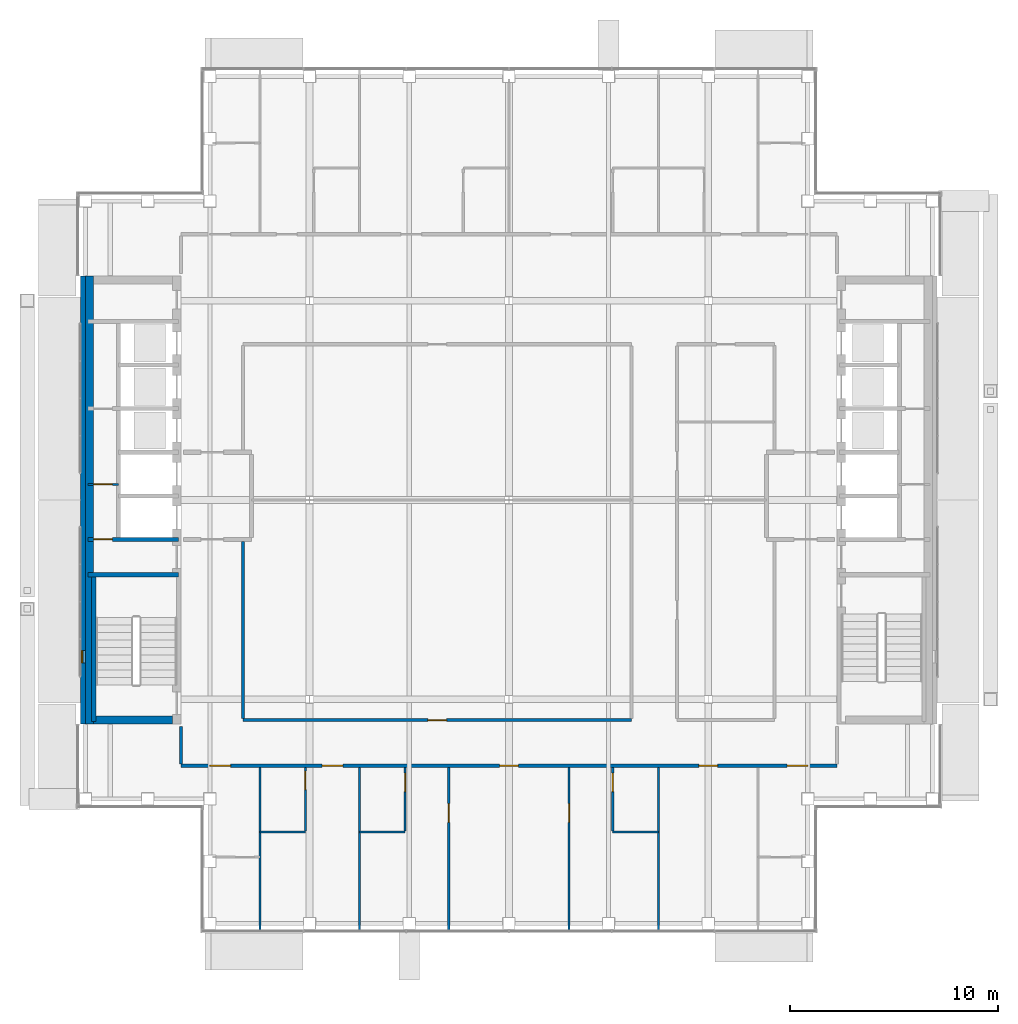
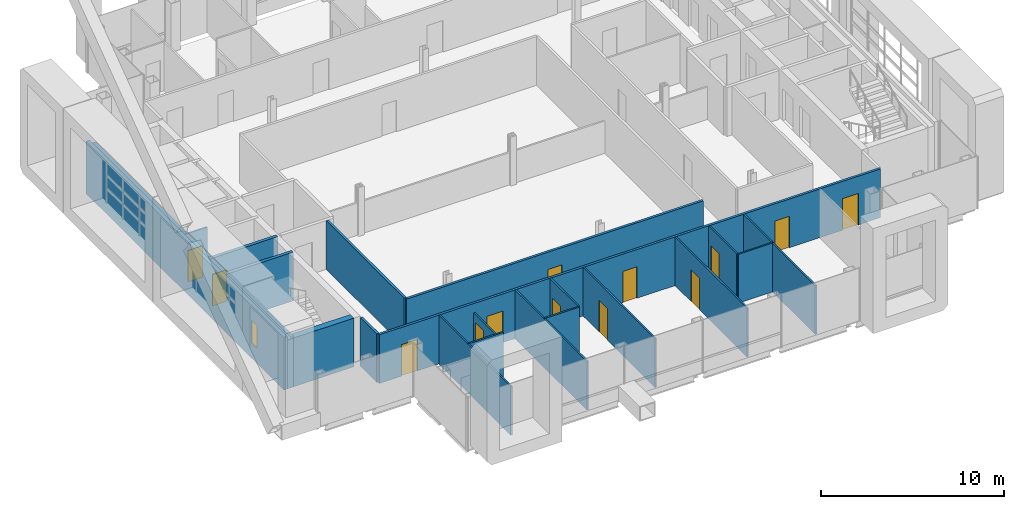
# One storey, part 12 of 23: 22 walls, 13 doors, 1 window, 14 openings.
"""IFC4 building model written with IfcOpenShell, lengths in metres."""

import ifcopenshell
import ifcopenshell.guid

model = None  # the IFC model being written
_history = None  # IfcOwnerHistory: only IFC2X3 demands one
_inside = {}  # id of a spatial element -> (the spatial element, [elements in it])
_under = {}  # id of a project, library or spatial element -> (it, [spatial elements below it])
_declared = {}  # id of a project -> (the project, [libraries it declares])
_typed = {}  # id of a type object -> (the type object, [elements of that type])
_made_of = {}  # id of a material, layer set ... -> (it, [elements and type objects made of it])


def new_model(schema):
    """Start an empty IFC model of exactly this schema.

    Asked for "IFC4X3", IfcOpenShell would pick the latest addendum, in which some entities
    have other attributes; the version numbers below select the first issue.
    IFC2X3 requires an IfcOwnerHistory on every rooted entity: one is made here for all.
    """
    global model, _history
    if schema == "IFC4X3":
        model = ifcopenshell.file(schema_version=(4, 3, 0, 0))
    else:
        model = ifcopenshell.file(schema=schema)
    _inside.clear()
    _under.clear()
    _declared.clear()
    _typed.clear()
    _made_of.clear()
    _history = None
    if model.schema == "IFC2X3":
        org = make("IfcOrganization", Name="unknown")
        user = make(
            "IfcPersonAndOrganization",
            ThePerson=make("IfcPerson", FamilyName="unknown"),
            TheOrganization=org,
        )
        app = make(
            "IfcApplication",
            ApplicationDeveloper=org,
            Version="unknown",
            ApplicationFullName="unknown",
            ApplicationIdentifier="unknown",
        )
        _history = make(
            "IfcOwnerHistory",
            OwningUser=user,
            OwningApplication=app,
            ChangeAction="ADDED",
            CreationDate=0,
        )
    return model


def make(cls, **values):
    """One entity of the class cls with the attributes given. An attribute that is None is left unset."""
    return model.create_entity(
        cls, **{name: value for name, value in values.items() if value is not None}
    )


def rooted(cls, **values):
    """An entity with a GlobalId (a new one), such as an element, a storey or a relation."""
    return make(cls, GlobalId=ifcopenshell.guid.new(), OwnerHistory=_history, **values)


def si_unit(unit_type, name, prefix=None):
    """IfcSIUnit, for example si_unit("LENGTHUNIT", "METRE", prefix="MILLI")."""
    return make("IfcSIUnit", UnitType=unit_type, Prefix=prefix, Name=name)


def assignment(units):
    """IfcUnitAssignment: the units of a project."""
    return None if units is None else make("IfcUnitAssignment", Units=units)


def point(xyz):
    """IfcCartesianPoint."""
    return None if xyz is None else make("IfcCartesianPoint", Coordinates=xyz)


def direction(xyz):
    """IfcDirection."""
    return None if xyz is None else make("IfcDirection", DirectionRatios=xyz)


def frame(location, z_axis=None, x_axis=None):
    """IfcAxis2Placement3D, a coordinate frame: its origin and axes. An axis left out is left unset."""
    return make(
        "IfcAxis2Placement3D",
        Location=point(location),
        Axis=direction(z_axis),
        RefDirection=direction(x_axis),
    )


def frame_2d(location, x_axis=None):
    """IfcAxis2Placement2D, a coordinate frame in the plane: its origin and x axis."""
    return make(
        "IfcAxis2Placement2D", Location=point(location), RefDirection=direction(x_axis)
    )


def origin():
    """The frame at (0, 0, 0) with its axes left unset."""
    return frame((0.0, 0.0, 0.0))


def place(relative_to, where):
    """IfcLocalPlacement: puts the frame where relative to a parent placement (None: the world)."""
    return make(
        "IfcLocalPlacement", PlacementRelTo=relative_to, RelativePlacement=where
    )


def context(
    kind, dimensions, precision=None, world=None, true_north=None, identifier=None
):
    """IfcGeometricRepresentationContext, for example the 3D "Model" context."""
    return make(
        "IfcGeometricRepresentationContext",
        ContextIdentifier=identifier,
        ContextType=kind,
        CoordinateSpaceDimension=dimensions,
        Precision=precision,
        WorldCoordinateSystem=world,
        TrueNorth=true_north,
    )


def subcontext(parent, identifier, kind, view, scale=None):
    """IfcGeometricRepresentationSubContext, for example "Body" below "Model"."""
    return make(
        "IfcGeometricRepresentationSubContext",
        ContextIdentifier=identifier,
        ContextType=kind,
        ParentContext=parent,
        TargetScale=scale,
        TargetView=view,
    )


def project(units=None, contexts=None):
    """IfcProject with its units and contexts."""
    return rooted(
        "IfcProject",
        Name="project",
        RepresentationContexts=contexts,
        UnitsInContext=assignment(units),
    )


def spatial(cls, under=None, at=None, **own):
    """A site, building, storey or space (cls), placed at a placement, below another one or the project."""
    s = rooted(cls, ObjectPlacement=at, **own)
    if under is not None:
        _under.setdefault(under.id(), (under, []))[1].append(s)
    return s


def profile(cls, at=None, kind="AREA", **sizes):
    """A parametric profile (cls). Its sizes go by their IFC names, for example OverallWidth=200.0."""
    return make(cls, ProfileType=kind, Position=at, **sizes)


def rectangle(**sizes):
    """IfcRectangleProfileDef."""
    return profile("IfcRectangleProfileDef", **sizes)


def extrude(swept, where, along, depth):
    """IfcExtrudedAreaSolid: the profile swept, set in the frame where, extruded along a direction by depth."""
    return make(
        "IfcExtrudedAreaSolid",
        SweptArea=swept,
        Position=where,
        ExtrudedDirection=direction(along),
        Depth=depth,
    )


def shape(context_of_items, identifier, shape_type, items):
    """IfcShapeRepresentation: the items that make up one representation, for example the "Body"."""
    return make(
        "IfcShapeRepresentation",
        ContextOfItems=context_of_items,
        RepresentationIdentifier=identifier,
        RepresentationType=shape_type,
        Items=items,
    )


def material(Name=None, Category=None):
    """IfcMaterial."""
    return make("IfcMaterial", Name=Name, Category=Category)


def layer(
    of_material, thickness, ventilated=None, Name=None, Category=None, Priority=None
):
    """IfcMaterialLayer: one layer of a wall or slab, of a material (None: an air gap)."""
    return make(
        "IfcMaterialLayer",
        Material=of_material,
        LayerThickness=thickness,
        IsVentilated=ventilated,
        Name=Name,
        Category=Category,
        Priority=Priority,
    )


def layer_set(layers, Name=None):
    """IfcMaterialLayerSet."""
    return make("IfcMaterialLayerSet", MaterialLayers=layers, LayerSetName=Name)


def made_of(thing, what):
    """Note that an element or type object is made of a material, layer set ...; save() writes the relation."""
    if what is not None:
        _made_of.setdefault(what.id(), (what, []))[1].append(thing)
    return thing


def type_object(cls, material=None, **own):
    """A type object (cls), such as IfcWallType, which elements share."""
    return made_of(rooted(cls, **own), material)


def element(
    cls,
    number,
    at=None,
    inside=None,
    cuts=None,
    type_object=None,
    material=None,
    context=None,
    identifier="Body",
    shape_type=None,
    held_by="IfcProductDefinitionShape",
    body=None,
    shapes=None,
    **own,
):
    """One element of the class cls, such as IfcWall. Its Tag is "e" and its number.

    at: its placement. inside: the storey or other place that contains it. cuts: it is an
    opening in that element (IfcRelVoidsElement). A single representation is given by context,
    identifier, shape_type and body (its items); several are given by shapes. held_by: the class
    of the entity that holds the representations. save() writes the other relations.
    """
    e = rooted(cls, Tag="e%d" % number, ObjectPlacement=at, **own)
    if body is not None:
        shapes = [shape(context, identifier, shape_type, body)]
    if shapes is not None:
        e.Representation = make(held_by, Representations=shapes)
    if inside is not None:
        _inside.setdefault(inside.id(), (inside, []))[1].append(e)
    if cuts is not None:
        rooted(
            "IfcRelVoidsElement", RelatingBuildingElement=cuts, RelatedOpeningElement=e
        )
    if type_object is not None:
        _typed.setdefault(type_object.id(), (type_object, []))[1].append(e)
    return made_of(e, material)


def fill(opening, filler):
    """IfcRelFillsElement: the door or window that sits in an opening."""
    return rooted(
        "IfcRelFillsElement",
        RelatingOpeningElement=opening,
        RelatedBuildingElement=filler,
    )


def aggregate(whole, parts):
    """IfcRelAggregates: a whole, such as a stair, and the parts it consists of."""
    return rooted("IfcRelAggregates", RelatingObject=whole, RelatedObjects=parts)


def save(model, path):
    """Write the relations noted so far, then the file.

    IfcRelAggregates (storeys below a building ...), IfcRelContainedInSpatialStructure (elements
    in a storey), IfcRelDefinesByType, IfcRelAssociatesMaterial and IfcRelDeclares: one each for
    every whole, place, type object, material and project.
    """
    for whole, parts in _under.values():
        aggregate(whole, parts)
    for where, things in _inside.values():
        rooted(
            "IfcRelContainedInSpatialStructure",
            RelatedElements=things,
            RelatingStructure=where,
        )
    for kind, things in _typed.values():
        rooted("IfcRelDefinesByType", RelatedObjects=things, RelatingType=kind)
    for what, things in _made_of.values():
        rooted("IfcRelAssociatesMaterial", RelatedObjects=things, RelatingMaterial=what)
    for by, libraries in _declared.values():
        rooted("IfcRelDeclares", RelatingContext=by, RelatedDefinitions=libraries)
    model.write(path)


model = new_model("IFC4")

# Units and contexts
model_context = context("Model", 3, precision=1e-05, world=origin(), true_north=direction((0.0, 1.0)))
body_context = subcontext(model_context, "Body", "Model", "MODEL_VIEW")
ifc_project = project(units=[si_unit("LENGTHUNIT", "METRE"), si_unit("AREAUNIT", "SQUARE_METRE"), si_unit("VOLUMEUNIT", "CUBIC_METRE"), si_unit("PLANEANGLEUNIT", "RADIAN"), si_unit("MASSUNIT", "GRAM", prefix="KILO")], contexts=[model_context])

# Site, building, storey
site_placement = place(None, origin())
site = spatial("IfcSite", under=ifc_project, at=site_placement, CompositionType="ELEMENT")
building_placement = place(site_placement, origin())
building = spatial("IfcBuilding", under=site, at=building_placement, Name="Cobrizo Arcos Hotel Tower", CompositionType="ELEMENT")
storey_placement = place(building_placement, frame((0.0, 0.0, 262.0)))
storey = spatial("IfcBuildingStorey", under=building, at=storey_placement, Name="L69", CompositionType="ELEMENT", Elevation=262.0)

# Wall, openings, doors
ifc_material_1 = material(Name="Gypsum board partition")
ifc_layer_1 = layer(ifc_material_1, 0.14990234375)
ifc_layer_set_1 = layer_set([ifc_layer_1], Name="Corridor wall EI 60 150")
wall_type_1 = type_object("IfcWallType", Name="Corridor wall EI 60 150", PredefinedType="PARTITIONING", material=ifc_layer_set_1)
wall_1_placement = place(storey_placement, frame((-15.800048828125, -12.800048828125, 0.0), z_axis=(0.0, 0.0, 1.0), x_axis=(1.0, 0.0, 0.0)))
wall_1 = element("IfcWall", 1, at=wall_1_placement, inside=storey, type_object=wall_type_1, Name="Partition 006", PredefinedType="PARTITIONING", context=body_context, shape_type="SweptSolid", body=[
    extrude(rectangle(XDim=31.60009765625, YDim=0.14990234375, at=frame_2d((15.800048828125, 0.0))), origin(), (0.0, 0.0, 1.0), 3.25),
])
opening_1_placement = place(wall_1_placement, frame((6.800048828125, 0.0, 0.0)))
opening_1 = element("IfcOpeningElement", 2, at=opening_1_placement, cuts=wall_1, Name="Opening GD-05", PredefinedType="OPENING", context=body_context, shape_type="SweptSolid", body=[
    extrude(rectangle(XDim=1.0, YDim=2.10009765625, at=frame_2d((0.5, 1.050048828125))), frame((0.0, 0.0869140625, 0.0), z_axis=(0.0, -1.0, 0.0), x_axis=(1.0, 0.0, 0.0)), (0.0, 0.0, 1.0), 0.173828125),
])
opening_2_placement = place(wall_1_placement, frame((15.35009765625, 0.0, 0.0)))
opening_2 = element("IfcOpeningElement", 3, at=opening_2_placement, cuts=wall_1, Name="Opening RD-09", PredefinedType="OPENING", context=body_context, shape_type="SweptSolid", body=[
    extrude(rectangle(XDim=0.89990234375, YDim=2.10009765625, at=frame_2d((0.449951171875, 1.050048828125))), frame((0.0, 0.0869140625, 0.0), z_axis=(0.0, -1.0, 0.0), x_axis=(1.0, 0.0, 0.0)), (0.0, 0.0, 1.0), 0.173828125),
])
opening_3_placement = place(wall_1_placement, frame((24.949951171875, 0.0, 0.0)))
opening_3 = element("IfcOpeningElement", 4, at=opening_3_placement, cuts=wall_1, Name="Opening RD-12", PredefinedType="OPENING", context=body_context, shape_type="SweptSolid", body=[
    extrude(rectangle(XDim=0.89990234375, YDim=2.10009765625, at=frame_2d((0.449951171875, 1.050048828125))), frame((0.0, 0.0869140625, 0.0), z_axis=(0.0, -1.0, 0.0), x_axis=(1.0, 0.0, 0.0)), (0.0, 0.0, 1.0), 0.173828125),
])
opening_4_placement = place(wall_1_placement, frame((1.39990234375, 0.0, 0.0)))
opening_4 = element("IfcOpeningElement", 5, at=opening_4_placement, cuts=wall_1, Name="Opening GD-06", PredefinedType="OPENING", context=body_context, shape_type="SweptSolid", body=[
    extrude(rectangle(XDim=1.0, YDim=2.10009765625, at=frame_2d((0.5, 1.050048828125))), frame((0.0, 0.0869140625, 0.0), z_axis=(0.0, -1.0, 0.0), x_axis=(1.0, 0.0, 0.0)), (0.0, 0.0, 1.0), 0.173828125),
])
opening_5_placement = place(wall_1_placement, frame((29.199951171875, 0.0, 0.0)))
opening_5 = element("IfcOpeningElement", 6, at=opening_5_placement, cuts=wall_1, Name="Opening GD-08", PredefinedType="OPENING", context=body_context, shape_type="SweptSolid", body=[
    extrude(rectangle(XDim=1.0, YDim=2.10009765625, at=frame_2d((0.5, 1.050048828125))), frame((0.0, 0.0869140625, 0.0), z_axis=(0.0, -1.0, 0.0), x_axis=(1.0, 0.0, 0.0)), (0.0, 0.0, 1.0), 0.173828125),
])
ifc_material_2 = material(Name="Timber door leaf", Category="wood")
door_type_1 = type_object("IfcDoorType", Name="Guest room door FD30S 1000x2100", OperationType="SINGLE_SWING_LEFT", PredefinedType="DOOR", material=ifc_material_2)
door_1_placement = place(opening_1_placement, origin())
door_1 = element("IfcDoor", 7, at=door_1_placement, inside=storey, type_object=door_type_1, Name="Door GD-05", OperationType="SINGLE_SWING_RIGHT", OverallHeight=2.10009765625, OverallWidth=1.0, PredefinedType="DOOR", context=body_context, shape_type="SweptSolid", body=[
    extrude(rectangle(XDim=1.0, YDim=2.10009765625, at=frame_2d((0.5, 1.050048828125))), frame((0.0, 0.02490234375, 0.0), z_axis=(0.0, -1.0, 0.0), x_axis=(1.0, 0.0, 0.0)), (0.0, 0.0, 1.0), 0.050048828125),
])
fill(opening_1, door_1)
door_2_placement = place(opening_4_placement, origin())
door_2 = element("IfcDoor", 8, at=door_2_placement, inside=storey, type_object=door_type_1, Name="Door GD-06", OperationType="SINGLE_SWING_RIGHT", OverallHeight=2.10009765625, OverallWidth=1.0, PredefinedType="DOOR", context=body_context, shape_type="SweptSolid", body=[
    extrude(rectangle(XDim=1.0, YDim=2.10009765625, at=frame_2d((0.5, 1.050048828125))), frame((0.0, 0.02490234375, 0.0), z_axis=(0.0, -1.0, 0.0), x_axis=(1.0, 0.0, 0.0)), (0.0, 0.0, 1.0), 0.050048828125),
])
fill(opening_4, door_2)
door_3_placement = place(opening_5_placement, origin())
door_3 = element("IfcDoor", 9, at=door_3_placement, inside=storey, type_object=door_type_1, Name="Door GD-08", OperationType="SINGLE_SWING_RIGHT", OverallHeight=2.10009765625, OverallWidth=1.0, PredefinedType="DOOR", context=body_context, shape_type="SweptSolid", body=[
    extrude(rectangle(XDim=1.0, YDim=2.10009765625, at=frame_2d((0.5, 1.050048828125))), frame((0.0, 0.02490234375, 0.0), z_axis=(0.0, -1.0, 0.0), x_axis=(1.0, 0.0, 0.0)), (0.0, 0.0, 1.0), 0.050048828125),
])
fill(opening_5, door_3)
door_type_2 = type_object("IfcDoorType", Name="Room door FD30 900x2100", OperationType="SINGLE_SWING_LEFT", PredefinedType="DOOR", material=ifc_material_2)
door_4_placement = place(opening_2_placement, origin())
door_4 = element("IfcDoor", 10, at=door_4_placement, inside=storey, type_object=door_type_2, Name="Door RD-09", OperationType="SINGLE_SWING_RIGHT", OverallHeight=2.10009765625, OverallWidth=0.89990234375, PredefinedType="DOOR", context=body_context, shape_type="SweptSolid", body=[
    extrude(rectangle(XDim=0.89990234375, YDim=2.10009765625, at=frame_2d((0.449951171875, 1.050048828125))), frame((0.0, 0.02490234375, 0.0), z_axis=(0.0, -1.0, 0.0), x_axis=(1.0, 0.0, 0.0)), (0.0, 0.0, 1.0), 0.050048828125),
])
fill(opening_2, door_4)
door_5_placement = place(opening_3_placement, origin())
door_5 = element("IfcDoor", 11, at=door_5_placement, inside=storey, type_object=door_type_2, Name="Door RD-12", OperationType="SINGLE_SWING_LEFT", OverallHeight=2.10009765625, OverallWidth=0.89990234375, PredefinedType="DOOR", context=body_context, shape_type="SweptSolid", body=[
    extrude(rectangle(XDim=0.89990234375, YDim=2.10009765625, at=frame_2d((0.449951171875, 1.050048828125))), frame((0.0, 0.02490234375, 0.0), z_axis=(0.0, -1.0, 0.0), x_axis=(1.0, 0.0, 0.0)), (0.0, 0.0, 1.0), 0.050048828125),
])
fill(opening_3, door_5)

# Wall, opening, door
wall_2_placement = place(storey_placement, frame((-12.800048828125, -10.60009765625, 0.0), z_axis=(0.0, 0.0, 1.0), x_axis=(1.0, 0.0, 0.0)))
wall_2 = element("IfcWall", 12, at=wall_2_placement, inside=storey, type_object=wall_type_1, Name="Partition 007", PredefinedType="PARTITIONING", context=body_context, shape_type="SweptSolid", body=[
    extrude(rectangle(XDim=18.699951171875, YDim=0.14990234375, at=frame_2d((9.35009765625, 0.0))), origin(), (0.0, 0.0, 1.0), 3.25),
])
opening_6_placement = place(wall_2_placement, frame((8.89990234375, 0.0, 0.0)))
opening_6 = element("IfcOpeningElement", 13, at=opening_6_placement, cuts=wall_2, Name="Opening RD-15", PredefinedType="OPENING", context=body_context, shape_type="SweptSolid", body=[
    extrude(rectangle(XDim=0.89990234375, YDim=2.10009765625, at=frame_2d((0.449951171875, 1.050048828125))), frame((0.0, 0.0869140625, 0.0), z_axis=(0.0, -1.0, 0.0), x_axis=(1.0, 0.0, 0.0)), (0.0, 0.0, 1.0), 0.173828125),
])
door_6_placement = place(opening_6_placement, origin())
door_6 = element("IfcDoor", 14, at=door_6_placement, inside=storey, type_object=door_type_2, Name="Door RD-15", OperationType="SINGLE_SWING_RIGHT", OverallHeight=2.10009765625, OverallWidth=0.89990234375, PredefinedType="DOOR", context=body_context, shape_type="SweptSolid", body=[
    extrude(rectangle(XDim=0.89990234375, YDim=2.10009765625, at=frame_2d((0.449951171875, 1.050048828125))), frame((0.0, 0.02490234375, 0.0), z_axis=(0.0, -1.0, 0.0), x_axis=(1.0, 0.0, 0.0)), (0.0, 0.0, 1.0), 0.050048828125),
])
fill(opening_6, door_6)

# Walls
wall_3_placement = place(storey_placement, frame((-15.800048828125, -12.72509765625, 0.0), z_axis=(0.0, 0.0, 1.0), x_axis=(0.0, 1.0, 0.0)))
element("IfcWall", 15, at=wall_3_placement, inside=storey, type_object=wall_type_1, Name="Partition 049", PredefinedType="PARTITIONING", context=body_context, shape_type="SweptSolid", body=[
    extrude(rectangle(XDim=1.80517578125, YDim=0.14990234375, at=frame_2d((0.902587890625, 0.0))), origin(), (0.0, 0.0, 1.0), 3.25),
])
wall_4_placement = place(storey_placement, frame((-12.800048828125, -10.52490234375, 0.0), z_axis=(0.0, 0.0, 1.0), x_axis=(0.0, 1.0, 0.0)))
element("IfcWall", 16, at=wall_4_placement, inside=storey, type_object=wall_type_1, Name="Partition 051", PredefinedType="PARTITIONING", context=body_context, shape_type="SweptSolid", body=[
    extrude(rectangle(XDim=8.52490234375, YDim=0.14990234375, at=frame_2d((4.262451171875, 0.0))), origin(), (0.0, 0.0, 1.0), 3.25),
])

# Wall, opening, window
ifc_material_3 = material(Name="Aluminium composite panel pale metal", Category="aluminium")
ifc_layer_2 = layer(ifc_material_3, 0.22509765625)
ifc_layer_set_2 = layer_set([ifc_layer_2], Name="EW-1 insulated panel wall 225")
wall_type_2 = type_object("IfcWallType", Name="EW-1 insulated panel wall 225", PredefinedType="SOLIDWALL", material=ifc_layer_set_2)
wall_5_placement = place(storey_placement, frame((-20.512451171875, 10.800048828125, 0.0), z_axis=(0.0, 0.0, 1.0), x_axis=(0.0, -1.0, 0.0)))
wall_5 = element("IfcWall", 17, at=wall_5_placement, inside=storey, type_object=wall_type_2, Name="Core face wall L69 W", PredefinedType="SOLIDWALL", context=body_context, shape_type="SweptSolid", body=[
    extrude(rectangle(XDim=21.60009765625, YDim=0.22509765625, at=frame_2d((10.800048828125, 0.0))), origin(), (0.0, 0.0, 1.0), 3.5),
])
opening_7_placement = place(wall_5_placement, frame((18.050048828125, 0.0, 1.0)))
opening_7 = element("IfcOpeningElement", 18, at=opening_7_placement, cuts=wall_5, Name="Opening W-158", PredefinedType="OPENING", context=body_context, shape_type="SweptSolid", body=[
    extrude(rectangle(XDim=0.60009765625, YDim=1.5, at=frame_2d((0.300048828125, 0.75))), frame((0.0, 0.12451171875, 0.0), z_axis=(0.0, -1.0, 0.0), x_axis=(1.0, 0.0, 0.0)), (0.0, 0.0, 1.0), 0.2490234375),
])
ifc_material_4 = material(Name="Aluminium 6063-T6 and clear laminated glass", Category="aluminium")
window_type = type_object("IfcWindowType", Name="W-C1 core stair slot window 600x1500", PartitioningType="SINGLE_PANEL", PredefinedType="WINDOW", material=ifc_material_4)
window_placement = place(opening_7_placement, origin())
window = element("IfcWindow", 19, at=window_placement, inside=storey, type_object=window_type, Name="Core face wall L69 W window W-158", OverallHeight=1.5, OverallWidth=0.60009765625, PartitioningType="SINGLE_PANEL", PredefinedType="WINDOW", context=body_context, shape_type="SweptSolid", body=[
    extrude(rectangle(XDim=0.60009765625, YDim=1.5, at=frame_2d((0.300048828125, 0.75))), frame((0.0, -0.0224609375, 0.0), z_axis=(0.0, -1.0, 0.0), x_axis=(1.0, 0.0, 0.0)), (0.0, 0.0, 1.0), 0.06005859375),
])
fill(opening_7, window)

# Walls
ifc_layer_3 = layer(ifc_material_1, 0.10009765625)
ifc_layer_set_3 = layer_set([ifc_layer_3], Name="Partition EI 30 100")
wall_type_3 = type_object("IfcWallType", Name="Partition EI 30 100", PredefinedType="PARTITIONING", material=ifc_layer_set_3)
for number, where, z_axis, x_axis, name in (
    (20, (-12.0, -16.0, 0.0), (0.0, 0.0, 1.0), (1.0, 0.0, 0.0), "Partition 003"),
    (21, (-7.199951171875, -16.0, 0.0), (0.0, 0.0, 1.0), (1.0, 0.0, 0.0), "Partition 004"),
    (22, (5.0, -16.0, 0.0), (0.0, 0.0, 1.0), (1.0, 0.0, 0.0), "Partition 005"),
):
    element("IfcWall", number, at=place(storey_placement, frame(where, z_axis=z_axis, x_axis=x_axis)), inside=storey, type_object=wall_type_3, Name=name, PredefinedType="PARTITIONING", context=body_context, shape_type="SweptSolid", body=[
        extrude(rectangle(XDim=2.199951171875, YDim=0.10009765625, at=frame_2d((1.10009765625, 0.0))), origin(), (0.0, 0.0, 1.0), 3.25),
    ])

# Wall, opening, door
wall_6_placement = place(storey_placement, frame((-20.280029296875, 0.75, 0.0), z_axis=(0.0, 0.0, 1.0), x_axis=(1.0, 0.0, 0.0)))
wall_6 = element("IfcWall", 23, at=wall_6_placement, inside=storey, type_object=wall_type_3, Name="Partition 025", PredefinedType="PARTITIONING", context=body_context, shape_type="SweptSolid", body=[
    extrude(rectangle(XDim=1.47998046875, YDim=0.10009765625, at=frame_2d((0.739990234375, 0.0))), origin(), (0.0, 0.0, 1.0), 3.25),
])
opening_8_placement = place(wall_6_placement, frame((0.280029296875, 0.0, 0.0)))
opening_8 = element("IfcOpeningElement", 24, at=opening_8_placement, cuts=wall_6, Name="Opening RD-03", PredefinedType="OPENING", context=body_context, shape_type="SweptSolid", body=[
    extrude(rectangle(XDim=0.89990234375, YDim=2.10009765625, at=frame_2d((0.449951171875, 1.050048828125))), frame((0.0, 0.06201171875, 0.0), z_axis=(0.0, -1.0, 0.0), x_axis=(1.0, 0.0, 0.0)), (0.0, 0.0, 1.0), 0.1240234375),
])
door_7_placement = place(opening_8_placement, origin())
door_7 = element("IfcDoor", 25, at=door_7_placement, inside=storey, type_object=door_type_2, Name="Door RD-03", OperationType="SINGLE_SWING_LEFT", OverallHeight=2.10009765625, OverallWidth=0.89990234375, PredefinedType="DOOR", context=body_context, shape_type="SweptSolid", body=[
    extrude(rectangle(XDim=0.89990234375, YDim=2.10009765625, at=frame_2d((0.449951171875, 1.050048828125))), frame((0.0, 0.02490234375, 0.0), z_axis=(0.0, -1.0, 0.0), x_axis=(1.0, 0.0, 0.0)), (0.0, 0.0, 1.0), 0.050048828125),
])
fill(opening_8, door_7)

# Wall
wall_7_placement = place(storey_placement, frame((-12.0, -20.72998046875, 0.0), z_axis=(0.0, 0.0, 1.0), x_axis=(0.0, 1.0, 0.0)))
element("IfcWall", 26, at=wall_7_placement, inside=storey, type_object=wall_type_3, Name="Partition 054", PredefinedType="PARTITIONING", context=body_context, shape_type="SweptSolid", body=[
    extrude(rectangle(XDim=7.85498046875, YDim=0.10009765625, at=frame_2d((3.927490234375, 0.0))), origin(), (0.0, 0.0, 1.0), 3.25),
])

# Wall, opening, door
wall_8_placement = place(storey_placement, frame((-9.800048828125, -15.949951171875, 0.0), z_axis=(0.0, 0.0, 1.0), x_axis=(0.0, 1.0, 0.0)))
wall_8 = element("IfcWall", 27, at=wall_8_placement, inside=storey, type_object=wall_type_3, Name="Partition 056", PredefinedType="PARTITIONING", context=body_context, shape_type="SweptSolid", body=[
    extrude(rectangle(XDim=3.074951171875, YDim=0.10009765625, at=frame_2d((1.53759765625, 0.0))), origin(), (0.0, 0.0, 1.0), 2.6279296875),
])
opening_9_placement = place(wall_8_placement, frame((1.99609375, 0.0, 0.0)))
opening_9 = element("IfcOpeningElement", 28, at=opening_9_placement, cuts=wall_8, Name="Opening ED-05", PredefinedType="OPENING", context=body_context, shape_type="SweptSolid", body=[
    extrude(rectangle(XDim=0.89990234375, YDim=2.10009765625, at=frame_2d((0.449951171875, 1.050048828125))), frame((0.0, 0.06201171875, 0.0), z_axis=(0.0, -1.0, 0.0), x_axis=(1.0, 0.0, 0.0)), (0.0, 0.0, 1.0), 0.1240234375),
])
door_type_3 = type_object("IfcDoorType", Name="En-suite door 900x2100", OperationType="SINGLE_SWING_LEFT", PredefinedType="DOOR", material=ifc_material_2)
door_8_placement = place(opening_9_placement, origin())
door_8 = element("IfcDoor", 29, at=door_8_placement, inside=storey, type_object=door_type_3, Name="Door ED-05", OperationType="SINGLE_SWING_LEFT", OverallHeight=2.10009765625, OverallWidth=0.89990234375, PredefinedType="DOOR", context=body_context, shape_type="SweptSolid", body=[
    extrude(rectangle(XDim=0.89990234375, YDim=2.10009765625, at=frame_2d((0.449951171875, 1.050048828125))), frame((0.0, 0.02490234375, 0.0), z_axis=(0.0, -1.0, 0.0), x_axis=(1.0, 0.0, 0.0)), (0.0, 0.0, 1.0), 0.050048828125),
])
fill(opening_9, door_8)

# Wall
wall_9_placement = place(storey_placement, frame((-7.199951171875, -20.72998046875, 0.0), z_axis=(0.0, 0.0, 1.0), x_axis=(0.0, 1.0, 0.0)))
element("IfcWall", 30, at=wall_9_placement, inside=storey, type_object=wall_type_3, Name="Partition 058", PredefinedType="PARTITIONING", context=body_context, shape_type="SweptSolid", body=[
    extrude(rectangle(XDim=7.85498046875, YDim=0.10009765625, at=frame_2d((3.927490234375, 0.0))), origin(), (0.0, 0.0, 1.0), 3.25),
])

# Wall, opening, door
wall_10_placement = place(storey_placement, frame((-5.0, -15.949951171875, 0.0), z_axis=(0.0, 0.0, 1.0), x_axis=(0.0, 1.0, 0.0)))
wall_10 = element("IfcWall", 31, at=wall_10_placement, inside=storey, type_object=wall_type_3, Name="Partition 060", PredefinedType="PARTITIONING", context=body_context, shape_type="SweptSolid", body=[
    extrude(rectangle(XDim=3.074951171875, YDim=0.10009765625, at=frame_2d((1.53759765625, 0.0))), origin(), (0.0, 0.0, 1.0), 3.25),
])
opening_10_placement = place(wall_10_placement, frame((1.89990234375, 0.0, 0.0)))
opening_10 = element("IfcOpeningElement", 32, at=opening_10_placement, cuts=wall_10, Name="Opening ED-06", PredefinedType="OPENING", context=body_context, shape_type="SweptSolid", body=[
    extrude(rectangle(XDim=0.89990234375, YDim=2.10009765625, at=frame_2d((0.449951171875, 1.050048828125))), frame((0.0, 0.06201171875, 0.0), z_axis=(0.0, -1.0, 0.0), x_axis=(1.0, 0.0, 0.0)), (0.0, 0.0, 1.0), 0.1240234375),
])
door_9_placement = place(opening_10_placement, origin())
door_9 = element("IfcDoor", 33, at=door_9_placement, inside=storey, type_object=door_type_3, Name="Door ED-06", OperationType="SINGLE_SWING_RIGHT", OverallHeight=2.10009765625, OverallWidth=0.89990234375, PredefinedType="DOOR", context=body_context, shape_type="SweptSolid", body=[
    extrude(rectangle(XDim=0.89990234375, YDim=2.10009765625, at=frame_2d((0.449951171875, 1.050048828125))), frame((0.0, 0.02490234375, 0.0), z_axis=(0.0, -1.0, 0.0), x_axis=(1.0, 0.0, 0.0)), (0.0, 0.0, 1.0), 0.050048828125),
])
fill(opening_10, door_9)

wall_11_placement = place(storey_placement, frame((-2.89990234375, -20.72998046875, 0.0), z_axis=(0.0, 0.0, 1.0), x_axis=(0.0, 1.0, 0.0)))
wall_11 = element("IfcWall", 34, at=wall_11_placement, inside=storey, type_object=wall_type_3, Name="Partition 061", PredefinedType="PARTITIONING", context=body_context, shape_type="SweptSolid", body=[
    extrude(rectangle(XDim=7.85498046875, YDim=0.10009765625, at=frame_2d((3.927490234375, 0.0))), origin(), (0.0, 0.0, 1.0), 3.25),
])
opening_11_placement = place(wall_11_placement, frame((5.199951171875, 0.0, 0.0)))
opening_11 = element("IfcOpeningElement", 35, at=opening_11_placement, cuts=wall_11, Name="Opening RD-10", PredefinedType="OPENING", context=body_context, shape_type="SweptSolid", body=[
    extrude(rectangle(XDim=0.89990234375, YDim=2.10009765625, at=frame_2d((0.449951171875, 1.050048828125))), frame((0.0, 0.06201171875, 0.0), z_axis=(0.0, -1.0, 0.0), x_axis=(1.0, 0.0, 0.0)), (0.0, 0.0, 1.0), 0.1240234375),
])
door_10_placement = place(opening_11_placement, origin())
door_10 = element("IfcDoor", 36, at=door_10_placement, inside=storey, type_object=door_type_2, Name="Door RD-10", OperationType="SINGLE_SWING_RIGHT", OverallHeight=2.10009765625, OverallWidth=0.89990234375, PredefinedType="DOOR", context=body_context, shape_type="SweptSolid", body=[
    extrude(rectangle(XDim=0.89990234375, YDim=2.10009765625, at=frame_2d((0.449951171875, 1.050048828125))), frame((0.0, 0.02490234375, 0.0), z_axis=(0.0, -1.0, 0.0), x_axis=(1.0, 0.0, 0.0)), (0.0, 0.0, 1.0), 0.050048828125),
])
fill(opening_11, door_10)

wall_12_placement = place(storey_placement, frame((2.89990234375, -20.72998046875, 0.0), z_axis=(0.0, 0.0, 1.0), x_axis=(0.0, 1.0, 0.0)))
wall_12 = element("IfcWall", 37, at=wall_12_placement, inside=storey, type_object=wall_type_3, Name="Partition 064", PredefinedType="PARTITIONING", context=body_context, shape_type="SweptSolid", body=[
    extrude(rectangle(XDim=7.85498046875, YDim=0.10009765625, at=frame_2d((3.927490234375, 0.0))), origin(), (0.0, 0.0, 1.0), 3.25),
])
opening_12_placement = place(wall_12_placement, frame((5.199951171875, 0.0, 0.0)))
opening_12 = element("IfcOpeningElement", 38, at=opening_12_placement, cuts=wall_12, Name="Opening RD-11", PredefinedType="OPENING", context=body_context, shape_type="SweptSolid", body=[
    extrude(rectangle(XDim=0.89990234375, YDim=2.10009765625, at=frame_2d((0.449951171875, 1.050048828125))), frame((0.0, 0.06201171875, 0.0), z_axis=(0.0, -1.0, 0.0), x_axis=(1.0, 0.0, 0.0)), (0.0, 0.0, 1.0), 0.1240234375),
])
door_11_placement = place(opening_12_placement, origin())
door_11 = element("IfcDoor", 39, at=door_11_placement, inside=storey, type_object=door_type_2, Name="Door RD-11", OperationType="SINGLE_SWING_RIGHT", OverallHeight=2.10009765625, OverallWidth=0.89990234375, PredefinedType="DOOR", context=body_context, shape_type="SweptSolid", body=[
    extrude(rectangle(XDim=0.89990234375, YDim=2.10009765625, at=frame_2d((0.449951171875, 1.050048828125))), frame((0.0, 0.02490234375, 0.0), z_axis=(0.0, -1.0, 0.0), x_axis=(1.0, 0.0, 0.0)), (0.0, 0.0, 1.0), 0.050048828125),
])
fill(opening_12, door_11)

wall_13_placement = place(storey_placement, frame((5.0, -15.949951171875, 0.0), z_axis=(0.0, 0.0, 1.0), x_axis=(0.0, 1.0, 0.0)))
wall_13 = element("IfcWall", 40, at=wall_13_placement, inside=storey, type_object=wall_type_3, Name="Partition 065", PredefinedType="PARTITIONING", context=body_context, shape_type="SweptSolid", body=[
    extrude(rectangle(XDim=3.074951171875, YDim=0.10009765625, at=frame_2d((1.53759765625, 0.0))), origin(), (0.0, 0.0, 1.0), 3.25),
])
opening_13_placement = place(wall_13_placement, frame((1.89990234375, 0.0, 0.0)))
opening_13 = element("IfcOpeningElement", 41, at=opening_13_placement, cuts=wall_13, Name="Opening ED-07", PredefinedType="OPENING", context=body_context, shape_type="SweptSolid", body=[
    extrude(rectangle(XDim=0.89990234375, YDim=2.10009765625, at=frame_2d((0.449951171875, 1.050048828125))), frame((0.0, 0.06201171875, 0.0), z_axis=(0.0, -1.0, 0.0), x_axis=(1.0, 0.0, 0.0)), (0.0, 0.0, 1.0), 0.1240234375),
])
door_12_placement = place(opening_13_placement, origin())
door_12 = element("IfcDoor", 42, at=door_12_placement, inside=storey, type_object=door_type_3, Name="Door ED-07", OperationType="SINGLE_SWING_RIGHT", OverallHeight=2.10009765625, OverallWidth=0.89990234375, PredefinedType="DOOR", context=body_context, shape_type="SweptSolid", body=[
    extrude(rectangle(XDim=0.89990234375, YDim=2.10009765625, at=frame_2d((0.449951171875, 1.050048828125))), frame((0.0, 0.02490234375, 0.0), z_axis=(0.0, -1.0, 0.0), x_axis=(1.0, 0.0, 0.0)), (0.0, 0.0, 1.0), 0.050048828125),
])
fill(opening_13, door_12)

# Walls
wall_14_placement = place(storey_placement, frame((7.199951171875, -20.72998046875, 0.0), z_axis=(0.0, 0.0, 1.0), x_axis=(0.0, 1.0, 0.0)))
element("IfcWall", 43, at=wall_14_placement, inside=storey, type_object=wall_type_3, Name="Partition 068", PredefinedType="PARTITIONING", context=body_context, shape_type="SweptSolid", body=[
    extrude(rectangle(XDim=7.85498046875, YDim=0.10009765625, at=frame_2d((3.927490234375, 0.0))), origin(), (0.0, 0.0, 1.0), 3.25),
])
ifc_material_5 = material(Name="Concrete f'c 40 MPa", Category="concrete")
ifc_layer_4 = layer(ifc_material_5, 0.39990234375)
ifc_layer_set_4 = layer_set([ifc_layer_4], Name="RC core wall 400 f'c 40")
wall_type_4 = type_object("IfcWallType", Name="RC core wall 400 f'c 40", PredefinedType="SHEAR", material=ifc_layer_set_4)
wall_15_placement = place(storey_placement, frame((-20.199951171875, -10.800048828125, 0.0), z_axis=(0.0, 0.0, 1.0), x_axis=(0.0, 1.0, 0.0)))
element("IfcWall", 44, at=wall_15_placement, inside=storey, type_object=wall_type_4, Name="Core wall CW4, west core, outer face, L69", PredefinedType="SHEAR", context=body_context, shape_type="SweptSolid", body=[
    extrude(rectangle(XDim=21.60009765625, YDim=0.39990234375, at=frame_2d((10.800048828125, 0.0))), origin(), (0.0, 0.0, 1.0), 3.25),
])
wall_16_placement = place(storey_placement, frame((-20.0, -10.60009765625, 0.0), z_axis=(0.0, 0.0, 1.0), x_axis=(1.0, 0.0, 0.0)))
element("IfcWall", 45, at=wall_16_placement, inside=storey, type_object=wall_type_4, Name="Core wall CW4, west core, south end, L69", PredefinedType="SHEAR", context=body_context, shape_type="SweptSolid", body=[
    extrude(rectangle(XDim=3.800048828125, YDim=0.39990234375, at=frame_2d((1.89990234375, 0.0))), origin(), (0.0, 0.0, 1.0), 3.25),
])

# Wall, opening, door
ifc_layer_5 = layer(ifc_material_1, 0.199951171875)
ifc_layer_set_5 = layer_set([ifc_layer_5], Name="Shaft wall EI 120 200")
wall_type_5 = type_object("IfcWallType", Name="Shaft wall EI 120 200", PredefinedType="PARTITIONING", material=ifc_layer_set_5)
wall_17_placement = place(storey_placement, frame((-20.280029296875, -1.89990234375, 0.0), z_axis=(0.0, 0.0, 1.0), x_axis=(1.0, 0.0, 0.0)))
wall_17 = element("IfcWall", 46, at=wall_17_placement, inside=storey, type_object=wall_type_5, Name="Partition 011", PredefinedType="PARTITIONING", context=body_context, shape_type="SweptSolid", body=[
    extrude(rectangle(XDim=4.360107421875, YDim=0.199951171875, at=frame_2d((2.18017578125, 0.0))), origin(), (0.0, 0.0, 1.0), 3.25),
])
opening_14_placement = place(wall_17_placement, frame((0.280029296875, 0.0, 0.0)))
opening_14 = element("IfcOpeningElement", 47, at=opening_14_placement, cuts=wall_17, Name="Opening RD-02", PredefinedType="OPENING", context=body_context, shape_type="SweptSolid", body=[
    extrude(rectangle(XDim=0.89990234375, YDim=2.10009765625, at=frame_2d((0.449951171875, 1.050048828125))), frame((0.0, 0.112060546875, 0.0), z_axis=(0.0, -1.0, 0.0), x_axis=(1.0, 0.0, 0.0)), (0.0, 0.0, 1.0), 0.223876953125),
])
door_13_placement = place(opening_14_placement, origin())
door_13 = element("IfcDoor", 48, at=door_13_placement, inside=storey, type_object=door_type_2, Name="Door RD-02", OperationType="SINGLE_SWING_LEFT", OverallHeight=2.10009765625, OverallWidth=0.89990234375, PredefinedType="DOOR", context=body_context, shape_type="SweptSolid", body=[
    extrude(rectangle(XDim=0.89990234375, YDim=2.10009765625, at=frame_2d((0.449951171875, 1.050048828125))), frame((0.0, 0.02490234375, 0.0), z_axis=(0.0, -1.0, 0.0), x_axis=(1.0, 0.0, 0.0)), (0.0, 0.0, 1.0), 0.050048828125),
])
fill(opening_14, door_13)

# Walls
ifc_layer_6 = layer(ifc_material_5, 0.199951171875)
ifc_layer_set_6 = layer_set([ifc_layer_6], Name="Stair shaft wall 200")
wall_type_6 = type_object("IfcWallType", Name="Stair shaft wall 200", PredefinedType="SHEAR", material=ifc_layer_set_6)
wall_18_placement = place(storey_placement, frame((-20.280029296875, -3.60009765625, 0.0), z_axis=(0.0, 0.0, 1.0), x_axis=(1.0, 0.0, 0.0)))
element("IfcWall", 49, at=wall_18_placement, inside=storey, type_object=wall_type_6, Name="Stair shaft wall W", PredefinedType="SHEAR", context=body_context, shape_type="SweptSolid", body=[
    extrude(rectangle(XDim=4.360107421875, YDim=0.199951171875, at=frame_2d((2.18017578125, 0.0))), origin(), (0.0, 0.0, 1.0), 3.25),
])
wall_19_placement = place(storey_placement, frame((-20.0, -10.679931640625, 0.0), z_axis=(0.0, 0.0, 1.0), x_axis=(0.0, 1.0, 0.0)))
element("IfcWall", 50, at=wall_19_placement, inside=storey, type_object=wall_type_6, Name="Stair shaft wall W", PredefinedType="SHEAR", context=body_context, shape_type="SweptSolid", body=[
    extrude(rectangle(XDim=6.97998046875, YDim=0.199951171875, at=frame_2d((3.489990234375, 0.0))), origin(), (0.0, 0.0, 1.0), 3.25),
])

save(model, "model.ifc")
